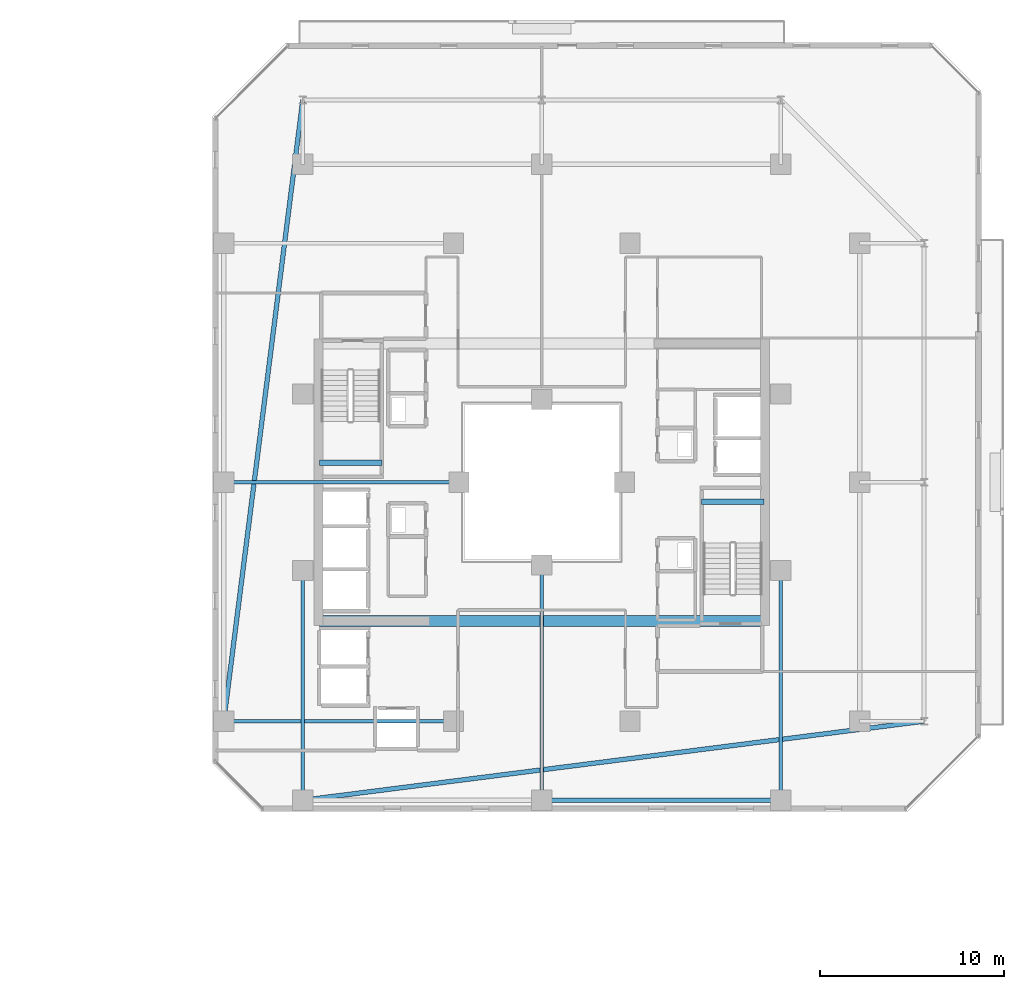
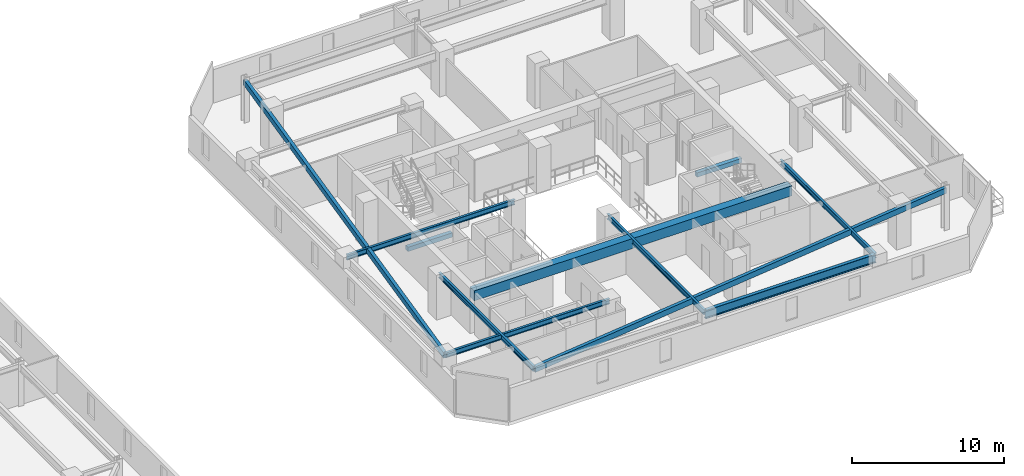
# One storey, part 13 of 32: 11 beams.
"""IFC4 building model written with IfcOpenShell, lengths in metres."""

import ifcopenshell
import ifcopenshell.guid

model = None  # the IFC model being written
_history = None  # IfcOwnerHistory: only IFC2X3 demands one
_inside = {}  # id of a spatial element -> (the spatial element, [elements in it])
_under = {}  # id of a project, library or spatial element -> (it, [spatial elements below it])
_declared = {}  # id of a project -> (the project, [libraries it declares])
_typed = {}  # id of a type object -> (the type object, [elements of that type])
_made_of = {}  # id of a material, layer set ... -> (it, [elements and type objects made of it])


def new_model(schema):
    """Start an empty IFC model of exactly this schema.

    Asked for "IFC4X3", IfcOpenShell would pick the latest addendum, in which some entities
    have other attributes; the version numbers below select the first issue.
    IFC2X3 requires an IfcOwnerHistory on every rooted entity: one is made here for all.
    """
    global model, _history
    if schema == "IFC4X3":
        model = ifcopenshell.file(schema_version=(4, 3, 0, 0))
    else:
        model = ifcopenshell.file(schema=schema)
    _inside.clear()
    _under.clear()
    _declared.clear()
    _typed.clear()
    _made_of.clear()
    _history = None
    if model.schema == "IFC2X3":
        org = make("IfcOrganization", Name="unknown")
        user = make(
            "IfcPersonAndOrganization",
            ThePerson=make("IfcPerson", FamilyName="unknown"),
            TheOrganization=org,
        )
        app = make(
            "IfcApplication",
            ApplicationDeveloper=org,
            Version="unknown",
            ApplicationFullName="unknown",
            ApplicationIdentifier="unknown",
        )
        _history = make(
            "IfcOwnerHistory",
            OwningUser=user,
            OwningApplication=app,
            ChangeAction="ADDED",
            CreationDate=0,
        )
    return model


def make(cls, **values):
    """One entity of the class cls with the attributes given. An attribute that is None is left unset."""
    return model.create_entity(
        cls, **{name: value for name, value in values.items() if value is not None}
    )


def rooted(cls, **values):
    """An entity with a GlobalId (a new one), such as an element, a storey or a relation."""
    return make(cls, GlobalId=ifcopenshell.guid.new(), OwnerHistory=_history, **values)


def si_unit(unit_type, name, prefix=None):
    """IfcSIUnit, for example si_unit("LENGTHUNIT", "METRE", prefix="MILLI")."""
    return make("IfcSIUnit", UnitType=unit_type, Prefix=prefix, Name=name)


def assignment(units):
    """IfcUnitAssignment: the units of a project."""
    return None if units is None else make("IfcUnitAssignment", Units=units)


def point(xyz):
    """IfcCartesianPoint."""
    return None if xyz is None else make("IfcCartesianPoint", Coordinates=xyz)


def direction(xyz):
    """IfcDirection."""
    return None if xyz is None else make("IfcDirection", DirectionRatios=xyz)


def frame(location, z_axis=None, x_axis=None):
    """IfcAxis2Placement3D, a coordinate frame: its origin and axes. An axis left out is left unset."""
    return make(
        "IfcAxis2Placement3D",
        Location=point(location),
        Axis=direction(z_axis),
        RefDirection=direction(x_axis),
    )


def frame_2d(location, x_axis=None):
    """IfcAxis2Placement2D, a coordinate frame in the plane: its origin and x axis."""
    return make(
        "IfcAxis2Placement2D", Location=point(location), RefDirection=direction(x_axis)
    )


def origin():
    """The frame at (0, 0, 0) with its axes left unset."""
    return frame((0.0, 0.0, 0.0))


def origin_2d():
    """The frame at (0, 0) in the plane with its x axis left unset."""
    return frame_2d((0.0, 0.0))


def place(relative_to, where):
    """IfcLocalPlacement: puts the frame where relative to a parent placement (None: the world)."""
    return make(
        "IfcLocalPlacement", PlacementRelTo=relative_to, RelativePlacement=where
    )


def context(
    kind, dimensions, precision=None, world=None, true_north=None, identifier=None
):
    """IfcGeometricRepresentationContext, for example the 3D "Model" context."""
    return make(
        "IfcGeometricRepresentationContext",
        ContextIdentifier=identifier,
        ContextType=kind,
        CoordinateSpaceDimension=dimensions,
        Precision=precision,
        WorldCoordinateSystem=world,
        TrueNorth=true_north,
    )


def subcontext(parent, identifier, kind, view, scale=None):
    """IfcGeometricRepresentationSubContext, for example "Body" below "Model"."""
    return make(
        "IfcGeometricRepresentationSubContext",
        ContextIdentifier=identifier,
        ContextType=kind,
        ParentContext=parent,
        TargetScale=scale,
        TargetView=view,
    )


def project(units=None, contexts=None):
    """IfcProject with its units and contexts."""
    return rooted(
        "IfcProject",
        Name="project",
        RepresentationContexts=contexts,
        UnitsInContext=assignment(units),
    )


def spatial(cls, under=None, at=None, **own):
    """A site, building, storey or space (cls), placed at a placement, below another one or the project."""
    s = rooted(cls, ObjectPlacement=at, **own)
    if under is not None:
        _under.setdefault(under.id(), (under, []))[1].append(s)
    return s


def profile(cls, at=None, kind="AREA", **sizes):
    """A parametric profile (cls). Its sizes go by their IFC names, for example OverallWidth=200.0."""
    return make(cls, ProfileType=kind, Position=at, **sizes)


def rectangle(**sizes):
    """IfcRectangleProfileDef."""
    return profile("IfcRectangleProfileDef", **sizes)


def hollow_rectangle(**sizes):
    """IfcRectangleHollowProfileDef."""
    return profile("IfcRectangleHollowProfileDef", **sizes)


def i_section(**sizes):
    """IfcIShapeProfileDef."""
    return profile("IfcIShapeProfileDef", **sizes)


def extrude(swept, where, along, depth):
    """IfcExtrudedAreaSolid: the profile swept, set in the frame where, extruded along a direction by depth."""
    return make(
        "IfcExtrudedAreaSolid",
        SweptArea=swept,
        Position=where,
        ExtrudedDirection=direction(along),
        Depth=depth,
    )


def shape(context_of_items, identifier, shape_type, items):
    """IfcShapeRepresentation: the items that make up one representation, for example the "Body"."""
    return make(
        "IfcShapeRepresentation",
        ContextOfItems=context_of_items,
        RepresentationIdentifier=identifier,
        RepresentationType=shape_type,
        Items=items,
    )


def material(Name=None, Category=None):
    """IfcMaterial."""
    return make("IfcMaterial", Name=Name, Category=Category)


def material_profile(
    of_material, cross_section, Name=None, Category=None, Priority=None
):
    """IfcMaterialProfile: a cross section and its material."""
    return make(
        "IfcMaterialProfile",
        Name=Name,
        Material=of_material,
        Profile=cross_section,
        Priority=Priority,
        Category=Category,
    )


def profile_set(profiles, Name=None, composite=None):
    """IfcMaterialProfileSet."""
    return make(
        "IfcMaterialProfileSet",
        Name=Name,
        MaterialProfiles=profiles,
        CompositeProfile=composite,
    )


def made_of(thing, what):
    """Note that an element or type object is made of a material, layer set ...; save() writes the relation."""
    if what is not None:
        _made_of.setdefault(what.id(), (what, []))[1].append(thing)
    return thing


def type_object(cls, material=None, **own):
    """A type object (cls), such as IfcWallType, which elements share."""
    return made_of(rooted(cls, **own), material)


def element(
    cls,
    number,
    at=None,
    inside=None,
    cuts=None,
    type_object=None,
    material=None,
    context=None,
    identifier="Body",
    shape_type=None,
    held_by="IfcProductDefinitionShape",
    body=None,
    shapes=None,
    **own,
):
    """One element of the class cls, such as IfcWall. Its Tag is "e" and its number.

    at: its placement. inside: the storey or other place that contains it. cuts: it is an
    opening in that element (IfcRelVoidsElement). A single representation is given by context,
    identifier, shape_type and body (its items); several are given by shapes. held_by: the class
    of the entity that holds the representations. save() writes the other relations.
    """
    e = rooted(cls, Tag="e%d" % number, ObjectPlacement=at, **own)
    if body is not None:
        shapes = [shape(context, identifier, shape_type, body)]
    if shapes is not None:
        e.Representation = make(held_by, Representations=shapes)
    if inside is not None:
        _inside.setdefault(inside.id(), (inside, []))[1].append(e)
    if cuts is not None:
        rooted(
            "IfcRelVoidsElement", RelatingBuildingElement=cuts, RelatedOpeningElement=e
        )
    if type_object is not None:
        _typed.setdefault(type_object.id(), (type_object, []))[1].append(e)
    return made_of(e, material)


def aggregate(whole, parts):
    """IfcRelAggregates: a whole, such as a stair, and the parts it consists of."""
    return rooted("IfcRelAggregates", RelatingObject=whole, RelatedObjects=parts)


def save(model, path):
    """Write the relations noted so far, then the file.

    IfcRelAggregates (storeys below a building ...), IfcRelContainedInSpatialStructure (elements
    in a storey), IfcRelDefinesByType, IfcRelAssociatesMaterial and IfcRelDeclares: one each for
    every whole, place, type object, material and project.
    """
    for whole, parts in _under.values():
        aggregate(whole, parts)
    for where, things in _inside.values():
        rooted(
            "IfcRelContainedInSpatialStructure",
            RelatedElements=things,
            RelatingStructure=where,
        )
    for kind, things in _typed.values():
        rooted("IfcRelDefinesByType", RelatedObjects=things, RelatingType=kind)
    for what, things in _made_of.values():
        rooted("IfcRelAssociatesMaterial", RelatedObjects=things, RelatingMaterial=what)
    for by, libraries in _declared.values():
        rooted("IfcRelDeclares", RelatingContext=by, RelatedDefinitions=libraries)
    model.write(path)


model = new_model("IFC4")

# Units and contexts
model_context = context("Model", 3, precision=1e-05, world=origin(), true_north=direction((0.0, 1.0)))
body_context = subcontext(model_context, "Body", "Model", "MODEL_VIEW")
ifc_project = project(units=[si_unit("LENGTHUNIT", "METRE"), si_unit("AREAUNIT", "SQUARE_METRE"), si_unit("VOLUMEUNIT", "CUBIC_METRE"), si_unit("PLANEANGLEUNIT", "RADIAN"), si_unit("MASSUNIT", "GRAM", prefix="KILO")], contexts=[model_context])

# Site, building, storey
site_placement = place(None, origin())
site = spatial("IfcSite", under=ifc_project, at=site_placement, CompositionType="ELEMENT")
building_placement = place(site_placement, origin())
building = spatial("IfcBuilding", under=site, at=building_placement, Name="Thornwick Lancets Civic Towers", CompositionType="ELEMENT")
storey_placement = place(building_placement, frame((0.0, 0.0, 152.699951171875)))
storey = spatial("IfcBuildingStorey", under=building, at=storey_placement, Name="L40", CompositionType="ELEMENT", Elevation=152.699951171875)

# Beams
ifc_material_1 = material(Name="Concrete C60/75", Category="concrete")
ifc_material_profile_1 = material_profile(ifc_material_1, rectangle(XDim=0.60009765625, YDim=0.800048828125, at=origin_2d()), Name="RC 600x800")
ifc_profile_set_1 = profile_set([ifc_material_profile_1], Name="Concrete C60/75")
beam_type_1 = type_object("IfcBeamType", Name="BM_COUP_RC800", PredefinedType="BEAM", material=ifc_profile_set_1)
beam_1_placement = place(storey_placement, frame((76.39990234375, 19.449951171875, 2.9599609375), z_axis=(1.0, 0.0, 0.0), x_axis=(0.0, 1.0, 0.0)))
element("IfcBeam", 1, at=beam_1_placement, inside=storey, type_object=beam_type_1, Name="CB-L40-B2", PredefinedType="BEAM", context=body_context, shape_type="SweptSolid", body=[
    extrude(rectangle(XDim=0.60009765625, YDim=0.800048828125, at=origin_2d()), origin(), (0.0, 0.0, 1.0), 24.2001953125),
])
ifc_material_2 = material(Name="Steel S355JR", Category="steel")
ifc_material_profile_2 = material_profile(ifc_material_2, i_section(OverallWidth=0.255859375, OverallDepth=0.69287109375, WebThickness=0.014404296875, FlangeThickness=0.023681640625, FilletRadius=0.01513671875, at=origin_2d()), Name="UKB 686x254x170")
ifc_profile_set_2 = profile_set([ifc_material_profile_2], Name="Steel S355JR")
beam_type_2 = type_object("IfcBeamType", Name="BM_GIRD_686_170", PredefinedType="BEAM", material=ifc_profile_set_2)
beam_2_placement = place(storey_placement, frame((101.5, 9.699951171875, 3.013427734375), z_axis=(-1.0, 0.0, 0.0), x_axis=(0.0, -1.0, 0.0)))
element("IfcBeam", 2, at=beam_2_placement, inside=storey, type_object=beam_type_2, Name="BM-SPINE-L40-B-9-10", PredefinedType="BEAM", context=body_context, shape_type="SweptSolid", body=[
    extrude(i_section(OverallWidth=0.255859375, OverallDepth=0.69287109375, WebThickness=0.014404296875, FlangeThickness=0.023681640625, FilletRadius=0.01513671875, at=origin_2d()), origin(), (0.0, 0.0, 1.0), 13.0),
])
ifc_material_profile_3 = material_profile(ifc_material_2, i_section(OverallWidth=0.179443359375, OverallDepth=0.412841796875, WebThickness=0.009521484375, FlangeThickness=0.01611328125, FilletRadius=0.01025390625, at=origin_2d()), Name="UKB 406x178x74")
ifc_profile_set_3 = profile_set([ifc_material_profile_3], Name="Steel S355JR")
beam_type_3 = type_object("IfcBeamType", Name="BM_JOIST_406_74", PredefinedType="JOIST", material=ifc_profile_set_3)
beam_3_placement = place(storey_placement, frame((83.699951171875, 14.0, 3.153564453125), z_axis=(-1.0, 0.0, 0.0), x_axis=(0.0, -1.0, 0.0)))
element("IfcBeam", 3, at=beam_3_placement, inside=storey, type_object=beam_type_3, Name="BM-RADIN-L40-B07", PredefinedType="JOIST", context=body_context, shape_type="SweptSolid", body=[
    extrude(i_section(OverallWidth=0.179443359375, OverallDepth=0.412841796875, WebThickness=0.009521484375, FlangeThickness=0.01611328125, FilletRadius=0.01025390625, at=origin_2d()), origin(), (0.0, 0.0, 1.0), 12.5),
])
beam_4_placement = place(storey_placement, frame((84.0, 27.0, 3.153564453125), z_axis=(-1.0, 0.0, 0.0), x_axis=(0.0, -1.0, 0.0)))
element("IfcBeam", 4, at=beam_4_placement, inside=storey, type_object=beam_type_3, Name="BM-RADIN-L40-B08", PredefinedType="JOIST", context=body_context, shape_type="SweptSolid", body=[
    extrude(i_section(OverallWidth=0.179443359375, OverallDepth=0.412841796875, WebThickness=0.009521484375, FlangeThickness=0.01611328125, FilletRadius=0.01025390625, at=origin_2d()), origin(), (0.0, 0.0, 1.0), 12.800048828125),
])
beam_5_placement = place(storey_placement, frame((101.5, 22.199951171875, 3.153564453125), z_axis=(0.0, -1.0, 0.0), x_axis=(1.0, 0.0, 0.0)))
element("IfcBeam", 5, at=beam_5_placement, inside=storey, type_object=beam_type_3, Name="BM-RADIN-L40-B10", PredefinedType="JOIST", context=body_context, shape_type="SweptSolid", body=[
    extrude(i_section(OverallWidth=0.179443359375, OverallDepth=0.412841796875, WebThickness=0.009521484375, FlangeThickness=0.01611328125, FilletRadius=0.01025390625, at=origin_2d()), origin(), (0.0, 0.0, 1.0), 12.5),
])
beam_6_placement = place(storey_placement, frame((88.5, 22.5, 3.153564453125), z_axis=(0.0, -1.0, 0.0), x_axis=(1.0, 0.0, 0.0)))
element("IfcBeam", 6, at=beam_6_placement, inside=storey, type_object=beam_type_3, Name="BM-RADIN-L40-B11", PredefinedType="JOIST", context=body_context, shape_type="SweptSolid", body=[
    extrude(i_section(OverallWidth=0.179443359375, OverallDepth=0.412841796875, WebThickness=0.009521484375, FlangeThickness=0.01611328125, FilletRadius=0.01025390625, at=origin_2d()), origin(), (0.0, 0.0, 1.0), 12.800048828125),
])
beam_7_placement = place(storey_placement, frame((75.5, 22.199951171875, 3.153564453125), z_axis=(0.0, -1.0, 0.0), x_axis=(1.0, 0.0, 0.0)))
element("IfcBeam", 7, at=beam_7_placement, inside=storey, type_object=beam_type_3, Name="BM-RADIN-L40-B12", PredefinedType="JOIST", context=body_context, shape_type="SweptSolid", body=[
    extrude(i_section(OverallWidth=0.179443359375, OverallDepth=0.412841796875, WebThickness=0.009521484375, FlangeThickness=0.01611328125, FilletRadius=0.01025390625, at=origin_2d()), origin(), (0.0, 0.0, 1.0), 12.5),
])
ifc_material_profile_4 = material_profile(ifc_material_2, hollow_rectangle(XDim=0.25, YDim=0.449951171875, WallThickness=0.01611328125, at=origin_2d()), Name="RHS 450x250x16")
ifc_profile_set_4 = profile_set([ifc_material_profile_4], Name="Steel S355JR")
beam_type_4 = type_object("IfcBeamType", Name="BM_RING_RHS450", PredefinedType="BEAM", material=ifc_profile_set_4)
for number, where, z_axis, x_axis, name in (
    (8, (75.5, 47.800048828125, 3.135009765625), (-0.126202998662, -0.992004437051, 0.0), (0.992004437051, -0.126202998662, 0.0), "BM-CHAMF-L40-B-C1"),
    (9, (75.5, 9.699951171875, 3.135009765625), (0.992004437051, 0.126202998662, 0.0), (-0.126202998662, 0.992004437051, 0.0), "BM-CHAMF-L40-B-C3"),
):
    element("IfcBeam", number, at=place(storey_placement, frame(where, z_axis=z_axis, x_axis=x_axis)), inside=storey, type_object=beam_type_4, Name=name, PredefinedType="BEAM", context=body_context, shape_type="SweptSolid", body=[
        extrude(hollow_rectangle(XDim=0.25, YDim=0.449951171875, WallThickness=0.01611328125, at=origin_2d()), origin(), (0.0, 0.0, 1.0), 34.072509765625),
    ])
ifc_material_3 = material(Name="Concrete C40/50", Category="concrete")
ifc_material_profile_5 = material_profile(ifc_material_3, rectangle(XDim=0.300048828125, YDim=0.35009765625, at=origin_2d()), Name="RC 300x350")
ifc_profile_set_5 = profile_set([ifc_material_profile_5], Name="Concrete C40/50")
beam_type_5 = type_object("IfcBeamType", Name="BM_STAIR_LDG", PredefinedType="BEAM", material=ifc_profile_set_5)
for number, where, z_axis, x_axis, name in (
    (10, (100.60009765625, 25.93505859375, 1.3779296875), (-1.0, 0.0, 0.0), (0.0, -1.0, 0.0), "L40 ST-B1 Landing Support Beam 1"),
    (11, (76.39990234375, 28.06494140625, 1.3779296875), (1.0, 0.0, 0.0), (0.0, 1.0, 0.0), "L40 ST-B2 Landing Support Beam 1"),
):
    element("IfcBeam", number, at=place(storey_placement, frame(where, z_axis=z_axis, x_axis=x_axis)), inside=storey, type_object=beam_type_5, Name=name, PredefinedType="BEAM", context=body_context, shape_type="SweptSolid", body=[
        extrude(rectangle(XDim=0.300048828125, YDim=0.35009765625, at=origin_2d()), origin(), (0.0, 0.0, 1.0), 3.400146484375),
    ])

save(model, "model.ifc")
